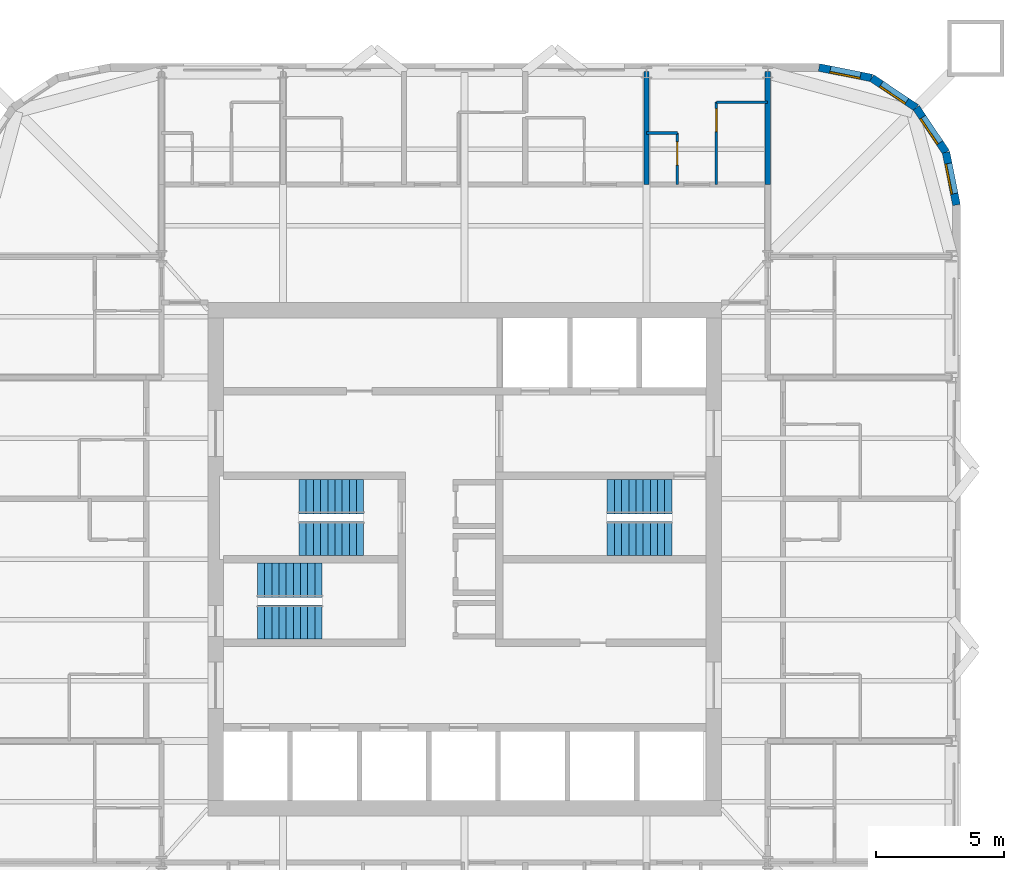
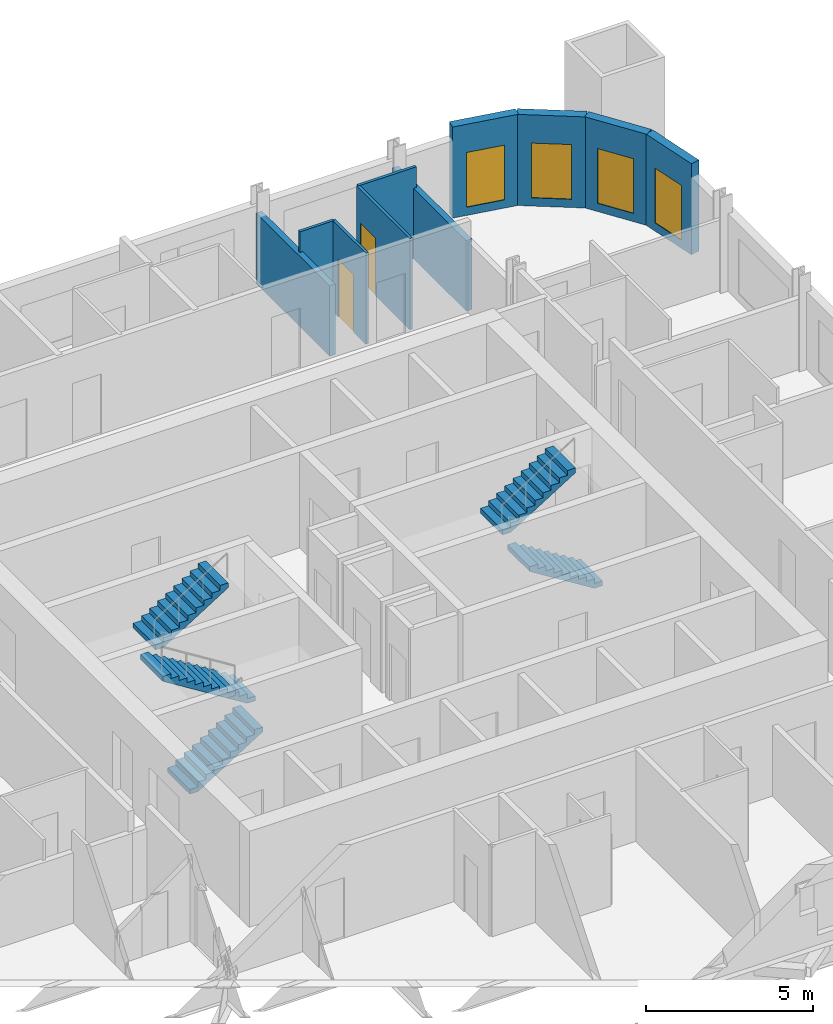
# One storey, part 8 of 9: 10 walls, 6 stair flights, 4 windows, 2 doors, 6 openings, 3 elements without a shape of their own.
"""IFC4 building model written with IfcOpenShell, lengths in metres."""

from ifc_helpers import new_model, si_unit, direction, frame, frame_2d, origin, place, context, subcontext, project, spatial, polyline, rectangle, outline, extrude, material, layer, layer_set, type_object, element, fill, aggregate, save


model = new_model("IFC4")

# Units and contexts
model_context = context("Model", 3, precision=1e-05, world=origin(), true_north=direction((0.0, 1.0)))
body_context = subcontext(model_context, "Body", "Model", "MODEL_VIEW")
ifc_project = project(units=[si_unit("LENGTHUNIT", "METRE"), si_unit("AREAUNIT", "SQUARE_METRE"), si_unit("VOLUMEUNIT", "CUBIC_METRE"), si_unit("PLANEANGLEUNIT", "RADIAN"), si_unit("MASSUNIT", "GRAM", prefix="KILO")], contexts=[model_context])

# Site, building, storey
site_placement = place(None, origin())
site = spatial("IfcSite", under=ifc_project, at=site_placement, CompositionType="ELEMENT")
building_placement = place(site_placement, origin())
building = spatial("IfcBuilding", under=site, at=building_placement, Name="Turquesa Mirador Hotel Tower", CompositionType="ELEMENT")
storey_placement = place(building_placement, frame((0.0, 0.0, 186.300048828125)))
storey = spatial("IfcBuildingStorey", under=building, at=storey_placement, Name="L50", CompositionType="ELEMENT", Elevation=186.300048828125)

# Walls
ifc_material_1 = material(Name="Gypsum board on steel studs", Category="steel")
ifc_layer_1 = layer(ifc_material_1, 0.10009765625)
ifc_layer_set_1 = layer_set([ifc_layer_1], Name="BATHROOM WALL 100")
wall_type_1 = type_object("IfcWallType", Name="BATHROOM WALL 100", PredefinedType="PARTITIONING", material=ifc_layer_set_1)
wall_1_placement = place(storey_placement, frame((62.080078125, 61.60009765625, 0.0), z_axis=(0.0, 0.0, 1.0), x_axis=(1.0, 0.0, 0.0)))
element("IfcWall", 1, at=wall_1_placement, inside=storey, type_object=wall_type_1, Name="Partition L50 025", PredefinedType="PARTITIONING", context=body_context, shape_type="SweptSolid", body=[
    extrude(rectangle(XDim=1.199951171875, YDim=0.10009765625, at=frame_2d((0.60009765625, 0.0))), origin(), (0.0, 0.0, 1.0), 3.329833984375),
])
wall_2_placement = place(storey_placement, frame((64.800048828125, 62.800048828125, 0.0), z_axis=(0.0, 0.0, 1.0), x_axis=(1.0, 0.0, 0.0)))
element("IfcWall", 2, at=wall_2_placement, inside=storey, type_object=wall_type_1, Name="Partition L50 030", PredefinedType="PARTITIONING", context=body_context, shape_type="SweptSolid", body=[
    extrude(rectangle(XDim=2.0, YDim=0.10009765625, at=frame_2d((1.0, 0.0))), origin(), (0.0, 0.0, 1.0), 3.329833984375),
])

# Wall, opening, door
wall_3_placement = place(storey_placement, frame((63.280029296875, 59.60009765625, 0.0), z_axis=(0.0, 0.0, 1.0), x_axis=(0.0, 1.0, 0.0)))
wall_3 = element("IfcWall", 3, at=wall_3_placement, inside=storey, type_object=wall_type_1, Name="Partition L50 082", PredefinedType="PARTITIONING", context=body_context, shape_type="SweptSolid", body=[
    extrude(rectangle(XDim=2.0, YDim=0.10009765625, at=frame_2d((1.0, 0.0))), origin(), (0.0, 0.0, 1.0), 3.329833984375),
])
opening_1_placement = place(wall_3_placement, frame((0.75, 0.0, 0.0)))
opening_1 = element("IfcOpeningElement", 4, at=opening_1_placement, cuts=wall_3, Name="Opening D06", PredefinedType="OPENING", context=body_context, shape_type="SweptSolid", body=[
    extrude(rectangle(XDim=0.89990234375, YDim=2.10009765625, at=frame_2d((0.449951171875, 1.050048828125))), frame((0.0, 0.06005859375, 0.0), z_axis=(0.0, -1.0, 0.0), x_axis=(1.0, 0.0, 0.0)), (0.0, 0.0, 1.0), 0.1201171875),
])
ifc_material_2 = material(Name="Laminate door", Category="wood")
door_type_1 = type_object("IfcDoorType", Name="DOOR 900X2100 WC", OperationType="SINGLE_SWING_LEFT", PredefinedType="DOOR", material=ifc_material_2)
door_1_placement = place(opening_1_placement, origin())
door_1 = element("IfcDoor", 5, at=door_1_placement, inside=storey, type_object=door_type_1, Name="Door 5005W", OperationType="SINGLE_SWING_LEFT", OverallHeight=2.10009765625, OverallWidth=0.89990234375, PredefinedType="DOOR", context=body_context, shape_type="SweptSolid", body=[
    extrude(rectangle(XDim=0.89990234375, YDim=2.10009765625, at=frame_2d((0.449951171875, 1.050048828125))), frame((0.0, 0.02490234375, 0.0), z_axis=(0.0, -1.0, 0.0), x_axis=(1.0, 0.0, 0.0)), (0.0, 0.0, 1.0), 0.050048828125),
])
fill(opening_1, door_1)

wall_4_placement = place(storey_placement, frame((64.800048828125, 59.60009765625, 0.0), z_axis=(0.0, 0.0, 1.0), x_axis=(0.0, 1.0, 0.0)))
wall_4 = element("IfcWall", 6, at=wall_4_placement, inside=storey, type_object=wall_type_1, Name="Partition L50 084", PredefinedType="PARTITIONING", context=body_context, shape_type="SweptSolid", body=[
    extrude(rectangle(XDim=3.199951171875, YDim=0.10009765625, at=frame_2d((1.60009765625, 0.0))), origin(), (0.0, 0.0, 1.0), 3.329833984375),
])
opening_2_placement = place(wall_4_placement, frame((2.050048828125, 0.0, 0.0)))
opening_2 = element("IfcOpeningElement", 7, at=opening_2_placement, cuts=wall_4, Name="Opening D02", PredefinedType="OPENING", context=body_context, shape_type="SweptSolid", body=[
    extrude(rectangle(XDim=0.89990234375, YDim=2.10009765625, at=frame_2d((0.449951171875, 1.050048828125))), frame((0.0, 0.06005859375, 0.0), z_axis=(0.0, -1.0, 0.0), x_axis=(1.0, 0.0, 0.0)), (0.0, 0.0, 1.0), 0.1201171875),
])
ifc_material_3 = material(Name="Timber veneered door", Category="wood")
door_type_2 = type_object("IfcDoorType", Name="DOOR 900X2100 EN-SUITE", OperationType="SINGLE_SWING_RIGHT", PredefinedType="DOOR", material=ifc_material_3)
door_2_placement = place(opening_2_placement, origin())
door_2 = element("IfcDoor", 8, at=door_2_placement, inside=storey, type_object=door_type_2, Name="Door 5005B", OperationType="SINGLE_SWING_RIGHT", OverallHeight=2.10009765625, OverallWidth=0.89990234375, PredefinedType="DOOR", context=body_context, shape_type="SweptSolid", body=[
    extrude(rectangle(XDim=0.89990234375, YDim=2.10009765625, at=frame_2d((0.449951171875, 1.050048828125))), frame((0.0, 0.02490234375, 0.0), z_axis=(0.0, -1.0, 0.0), x_axis=(1.0, 0.0, 0.0)), (0.0, 0.0, 1.0), 0.050048828125),
])
fill(opening_2, door_2)

# Wall, opening, window
ifc_material_4 = material(Name="Limestone cladding on concrete block", Category="masonry")
ifc_layer_2 = layer(ifc_material_4, 0.300048828125)
ifc_layer_set_2 = layer_set([ifc_layer_2], Name="FACADE WALL 300 STONE SCREEN")
wall_type_2 = type_object("IfcWallType", Name="FACADE WALL 300 STONE SCREEN", PredefinedType="SOLIDWALL", material=ifc_layer_set_2)
wall_5_placement = place(storey_placement, frame((74.14990234375, 58.800048828125, 0.0), z_axis=(0.0, 0.0, 1.0), x_axis=(-0.195081421501, 0.980787050784, 0.0)))
wall_5 = element("IfcWall", 9, at=wall_5_placement, inside=storey, type_object=wall_type_2, Name="Facade wall L50 05", PredefinedType="SOLIDWALL", context=body_context, shape_type="SweptSolid", body=[
    extrude(rectangle(XDim=2.08740234375, YDim=0.300048828125, at=frame_2d((1.043701171875, 0.0))), origin(), (0.0, 0.0, 1.0), 3.329833984375),
])
opening_3_placement = place(wall_5_placement, frame((0.443603515625, 0.0, 0.300048828125)))
opening_3 = element("IfcOpeningElement", 10, at=opening_3_placement, cuts=wall_5, Name="Opening WN4", PredefinedType="OPENING", context=body_context, shape_type="SweptSolid", body=[
    extrude(rectangle(XDim=1.199951171875, YDim=2.0, at=frame_2d((0.60009765625, 1.0))), frame((0.0, 0.159912109375, 0.0), z_axis=(0.0, -1.0, 0.0), x_axis=(1.0, 0.0, 0.0)), (0.0, 0.0, 1.0), 0.320068359375),
])
ifc_material_5 = material(Name="Ceramic-fritted laminated glass", Category="glass")
window_type = type_object("IfcWindowType", Name="FRITTED CORNER WINDOW 1200X2000", PartitioningType="DOUBLE_PANEL_HORIZONTAL", PredefinedType="WINDOW", material=ifc_material_5)
window_1_placement = place(opening_3_placement, origin())
window_1 = element("IfcWindow", 11, at=window_1_placement, inside=storey, type_object=window_type, Name="Window L50", OverallHeight=2.0, OverallWidth=1.199951171875, PartitioningType="SINGLE_PANEL", PredefinedType="WINDOW", context=body_context, shape_type="SweptSolid", body=[
    extrude(rectangle(XDim=1.199951171875, YDim=2.0, at=frame_2d((0.60009765625, 1.0))), frame((0.0, 0.130126953125, 0.0), z_axis=(0.0, -1.0, 0.0), x_axis=(1.0, 0.0, 0.0)), (0.0, 0.0, 1.0), 0.06005859375),
])
fill(opening_3, window_1)

wall_6_placement = place(storey_placement, frame((73.74267578125, 60.847412109375, 0.0), z_axis=(0.0, 0.0, 1.0), x_axis=(-0.555563607591, 0.831474039234, 0.0)))
wall_6 = element("IfcWall", 12, at=wall_6_placement, inside=storey, type_object=wall_type_2, Name="Facade wall L50 06", PredefinedType="SOLIDWALL", context=body_context, shape_type="SweptSolid", body=[
    extrude(rectangle(XDim=2.08740234375, YDim=0.300048828125, at=frame_2d((1.043701171875, 0.0))), origin(), (0.0, 0.0, 1.0), 3.329833984375),
])
opening_4_placement = place(wall_6_placement, frame((0.443603515625, 0.0, 0.300048828125)))
opening_4 = element("IfcOpeningElement", 13, at=opening_4_placement, cuts=wall_6, Name="Opening WN4", PredefinedType="OPENING", context=body_context, shape_type="SweptSolid", body=[
    extrude(rectangle(XDim=1.199951171875, YDim=2.0, at=frame_2d((0.60009765625, 1.0))), frame((0.0, 0.159912109375, 0.0), z_axis=(0.0, -1.0, 0.0), x_axis=(1.0, 0.0, 0.0)), (0.0, 0.0, 1.0), 0.320068359375),
])
window_2_placement = place(opening_4_placement, origin())
window_2 = element("IfcWindow", 14, at=window_2_placement, inside=storey, type_object=window_type, Name="Window L50", OverallHeight=2.0, OverallWidth=1.199951171875, PartitioningType="SINGLE_PANEL", PredefinedType="WINDOW", context=body_context, shape_type="SweptSolid", body=[
    extrude(rectangle(XDim=1.199951171875, YDim=2.0, at=frame_2d((0.60009765625, 1.0))), frame((0.0, 0.130126953125, 0.0), z_axis=(0.0, -1.0, 0.0), x_axis=(1.0, 0.0, 0.0)), (0.0, 0.0, 1.0), 0.06005859375),
])
fill(opening_4, window_2)

wall_7_placement = place(storey_placement, frame((72.5830078125, 62.5830078125, 0.0), z_axis=(0.0, 0.0, 1.0), x_axis=(-0.831474039234, 0.555563607591, 0.0)))
wall_7 = element("IfcWall", 15, at=wall_7_placement, inside=storey, type_object=wall_type_2, Name="Facade wall L50 07", PredefinedType="SOLIDWALL", context=body_context, shape_type="SweptSolid", body=[
    extrude(rectangle(XDim=2.08740234375, YDim=0.300048828125, at=frame_2d((1.043701171875, 0.0))), origin(), (0.0, 0.0, 1.0), 3.329833984375),
])
opening_5_placement = place(wall_7_placement, frame((0.443603515625, 0.0, 0.300048828125)))
opening_5 = element("IfcOpeningElement", 16, at=opening_5_placement, cuts=wall_7, Name="Opening WN4", PredefinedType="OPENING", context=body_context, shape_type="SweptSolid", body=[
    extrude(rectangle(XDim=1.199951171875, YDim=2.0, at=frame_2d((0.60009765625, 1.0))), frame((0.0, 0.159912109375, 0.0), z_axis=(0.0, -1.0, 0.0), x_axis=(1.0, 0.0, 0.0)), (0.0, 0.0, 1.0), 0.320068359375),
])
window_3_placement = place(opening_5_placement, origin())
window_3 = element("IfcWindow", 17, at=window_3_placement, inside=storey, type_object=window_type, Name="Window L50", OverallHeight=2.0, OverallWidth=1.199951171875, PartitioningType="SINGLE_PANEL", PredefinedType="WINDOW", context=body_context, shape_type="SweptSolid", body=[
    extrude(rectangle(XDim=1.199951171875, YDim=2.0, at=frame_2d((0.60009765625, 1.0))), frame((0.0, 0.130126953125, 0.0), z_axis=(0.0, -1.0, 0.0), x_axis=(1.0, 0.0, 0.0)), (0.0, 0.0, 1.0), 0.06005859375),
])
fill(opening_5, window_3)

wall_8_placement = place(storey_placement, frame((70.847412109375, 63.74267578125, 0.0), z_axis=(0.0, 0.0, 1.0), x_axis=(-0.980787050784, 0.195081421501, 0.0)))
wall_8 = element("IfcWall", 18, at=wall_8_placement, inside=storey, type_object=wall_type_2, Name="Facade wall L50 08", PredefinedType="SOLIDWALL", context=body_context, shape_type="SweptSolid", body=[
    extrude(rectangle(XDim=2.08740234375, YDim=0.300048828125, at=frame_2d((1.043701171875, 0.0))), origin(), (0.0, 0.0, 1.0), 3.329833984375),
])
opening_6_placement = place(wall_8_placement, frame((0.443603515625, 0.0, 0.300048828125)))
opening_6 = element("IfcOpeningElement", 19, at=opening_6_placement, cuts=wall_8, Name="Opening WN4", PredefinedType="OPENING", context=body_context, shape_type="SweptSolid", body=[
    extrude(rectangle(XDim=1.199951171875, YDim=2.0, at=frame_2d((0.60009765625, 1.0))), frame((0.0, 0.159912109375, 0.0), z_axis=(0.0, -1.0, 0.0), x_axis=(1.0, 0.0, 0.0)), (0.0, 0.0, 1.0), 0.320068359375),
])
window_4_placement = place(opening_6_placement, origin())
window_4 = element("IfcWindow", 20, at=window_4_placement, inside=storey, type_object=window_type, Name="Window L50", OverallHeight=2.0, OverallWidth=1.199951171875, PartitioningType="SINGLE_PANEL", PredefinedType="WINDOW", context=body_context, shape_type="SweptSolid", body=[
    extrude(rectangle(XDim=1.199951171875, YDim=2.0, at=frame_2d((0.60009765625, 1.0))), frame((0.0, 0.130126953125, 0.0), z_axis=(0.0, -1.0, 0.0), x_axis=(1.0, 0.0, 0.0)), (0.0, 0.0, 1.0), 0.06005859375),
])
fill(opening_6, window_4)

# Walls
ifc_material_6 = material(Name="Fire-rated gypsum board on steel studs", Category="steel")
ifc_layer_3 = layer(ifc_material_6, 0.199951171875)
ifc_layer_set_3 = layer_set([ifc_layer_3], Name="PARTY WALL 200")
wall_type_3 = type_object("IfcWallType", Name="PARTY WALL 200", PredefinedType="PARTITIONING", material=ifc_layer_set_3)
for number, where, z_axis, x_axis, name in (
    (21, (66.800048828125, 59.60009765625, 0.0), (0.0, 0.0, 1.0), (0.0, 1.0, 0.0), "Partition L50 066"),
    (22, (62.080078125, 59.60009765625, 0.0), (0.0, 0.0, 1.0), (0.0, 1.0, 0.0), "Partition L50 081"),
):
    element("IfcWall", number, at=place(storey_placement, frame(where, z_axis=z_axis, x_axis=x_axis)), inside=storey, type_object=wall_type_3, Name=name, PredefinedType="PARTITIONING", context=body_context, shape_type="SweptSolid", body=[
        extrude(rectangle(XDim=4.39990234375, YDim=0.199951171875, at=frame_2d((2.199951171875, 0.0))), origin(), (0.0, 0.0, 1.0), 2.572998046875),
    ])

# Stair, stair flights
ifc_material_7 = material(Name="Concrete C35/45", Category="concrete")
stair_type = type_object("IfcStairType", Name="ESCAPE STAIR CORE", PredefinedType="HALF_TURN_STAIR", material=ifc_material_7)
stair_1_placement = place(storey_placement, origin())
stair_1 = element("IfcStair", 23, at=stair_1_placement, inside=storey, type_object=stair_type, Name="Stair ST1 L50 to L51", PredefinedType="HALF_TURN_STAIR")
ifc_material_8 = material(Name="Concrete C35/45 precast flight", Category="concrete")
stair_flight_type = type_object("IfcStairFlightType", Name="STAIR FLIGHT 1330", PredefinedType="STRAIGHT", material=ifc_material_8)
stair_flight_1_placement = place(storey_placement, frame((51.070068359375, 45.81494140625, 0.0), z_axis=(0.0, 0.0, 1.0), x_axis=(-1.0, 0.0, 0.0)))
stair_flight_1 = element("IfcStairFlight", 24, at=stair_flight_1_placement, type_object=stair_flight_type, Name="ST1 flight 1", NumberOfRisers=10, NumberOfTreads=9, PredefinedType="STRAIGHT", RiserHeight=0.175, TreadLength=0.28, context=body_context, shape_type="SweptSolid", body=[
    extrude(outline(polyline([(0.0, 0.0), (0.0, 0.175048828125), (0.280029296875, 0.175048828125), (0.280029296875, 0.35009765625), (0.56005859375, 0.35009765625), (0.56005859375, 0.52490234375), (0.840087890625, 0.52490234375), (0.840087890625, 0.699951171875), (1.1201171875, 0.699951171875), (1.1201171875, 0.875), (1.39990234375, 0.875), (1.39990234375, 1.050048828125), (1.679931640625, 1.050048828125), (1.679931640625, 1.22509765625), (1.9599609375, 1.22509765625), (1.9599609375, 1.39990234375), (2.239990234375, 1.39990234375), (2.239990234375, 1.574951171875), (2.52001953125, 1.574951171875), (2.52001953125, 1.75), (2.52001953125, 1.398193359375), (0.28271484375, 0.0), (0.0, 0.0)])), frame((0.0, 0.6650390625, 0.0), z_axis=(0.0, -1.0, 0.0), x_axis=(1.0, 0.0, 0.0)), (0.0, 0.0, 1.0), 1.330078125),
])
stair_flight_2_placement = place(storey_placement, frame((48.550048828125, 47.43505859375, 1.75), z_axis=(0.0, 0.0, 1.0), x_axis=(1.0, 0.0, 0.0)))
stair_flight_2 = element("IfcStairFlight", 25, at=stair_flight_2_placement, type_object=stair_flight_type, Name="ST1 flight 2", NumberOfRisers=10, NumberOfTreads=9, PredefinedType="STRAIGHT", RiserHeight=0.175, TreadLength=0.28, context=body_context, shape_type="SweptSolid", body=[
    extrude(outline(polyline([(0.0, 0.0), (0.0, 0.175048828125), (0.280029296875, 0.175048828125), (0.280029296875, 0.35009765625), (0.56005859375, 0.35009765625), (0.56005859375, 0.52490234375), (0.840087890625, 0.52490234375), (0.840087890625, 0.699951171875), (1.1201171875, 0.699951171875), (1.1201171875, 0.875), (1.39990234375, 0.875), (1.39990234375, 1.050048828125), (1.679931640625, 1.050048828125), (1.679931640625, 1.22509765625), (1.9599609375, 1.22509765625), (1.9599609375, 1.39990234375), (2.239990234375, 1.39990234375), (2.239990234375, 1.574951171875), (2.52001953125, 1.574951171875), (2.52001953125, 1.75), (2.52001953125, 1.398193359375), (0.28271484375, 0.0), (0.0, 0.0)])), frame((0.0, 0.6650390625, 0.0), z_axis=(0.0, -1.0, 0.0), x_axis=(1.0, 0.0, 0.0)), (0.0, 0.0, 1.0), 1.330078125),
])
aggregate(stair_1, [stair_flight_1, stair_flight_2])

stair_2_placement = place(storey_placement, origin())
stair_2 = element("IfcStair", 26, at=stair_2_placement, inside=storey, type_object=stair_type, Name="Stair ST2 L50 to L51", PredefinedType="HALF_TURN_STAIR")
stair_flight_3_placement = place(storey_placement, frame((46.929931640625, 42.56494140625, 0.0), z_axis=(0.0, 0.0, 1.0), x_axis=(1.0, 0.0, 0.0)))
stair_flight_3 = element("IfcStairFlight", 27, at=stair_flight_3_placement, type_object=stair_flight_type, Name="ST2 flight 1", NumberOfRisers=10, NumberOfTreads=9, PredefinedType="STRAIGHT", RiserHeight=0.175, TreadLength=0.28, context=body_context, shape_type="SweptSolid", body=[
    extrude(outline(polyline([(0.0, 0.0), (0.0, 0.175048828125), (0.280029296875, 0.175048828125), (0.280029296875, 0.35009765625), (0.56005859375, 0.35009765625), (0.56005859375, 0.52490234375), (0.840087890625, 0.52490234375), (0.840087890625, 0.699951171875), (1.1201171875, 0.699951171875), (1.1201171875, 0.875), (1.39990234375, 0.875), (1.39990234375, 1.050048828125), (1.679931640625, 1.050048828125), (1.679931640625, 1.22509765625), (1.9599609375, 1.22509765625), (1.9599609375, 1.39990234375), (2.239990234375, 1.39990234375), (2.239990234375, 1.574951171875), (2.52001953125, 1.574951171875), (2.52001953125, 1.75), (2.52001953125, 1.398193359375), (0.28271484375, 0.0), (0.0, 0.0)])), frame((0.0, 0.6650390625, 0.0), z_axis=(0.0, -1.0, 0.0), x_axis=(1.0, 0.0, 0.0)), (0.0, 0.0, 1.0), 1.330078125),
])
stair_flight_4_placement = place(storey_placement, frame((49.449951171875, 44.18505859375, 1.75), z_axis=(0.0, 0.0, 1.0), x_axis=(-1.0, 0.0, 0.0)))
stair_flight_4 = element("IfcStairFlight", 28, at=stair_flight_4_placement, type_object=stair_flight_type, Name="ST2 flight 2", NumberOfRisers=10, NumberOfTreads=9, PredefinedType="STRAIGHT", RiserHeight=0.175, TreadLength=0.28, context=body_context, shape_type="SweptSolid", body=[
    extrude(outline(polyline([(0.0, 0.0), (0.0, 0.175048828125), (0.280029296875, 0.175048828125), (0.280029296875, 0.35009765625), (0.56005859375, 0.35009765625), (0.56005859375, 0.52490234375), (0.840087890625, 0.52490234375), (0.840087890625, 0.699951171875), (1.1201171875, 0.699951171875), (1.1201171875, 0.875), (1.39990234375, 0.875), (1.39990234375, 1.050048828125), (1.679931640625, 1.050048828125), (1.679931640625, 1.22509765625), (1.9599609375, 1.22509765625), (1.9599609375, 1.39990234375), (2.239990234375, 1.39990234375), (2.239990234375, 1.574951171875), (2.52001953125, 1.574951171875), (2.52001953125, 1.75), (2.52001953125, 1.398193359375), (0.28271484375, 0.0), (0.0, 0.0)])), frame((0.0, 0.6650390625, 0.0), z_axis=(0.0, -1.0, 0.0), x_axis=(1.0, 0.0, 0.0)), (0.0, 0.0, 1.0), 1.330078125),
])
aggregate(stair_2, [stair_flight_3, stair_flight_4])

stair_3_placement = place(storey_placement, origin())
stair_3 = element("IfcStair", 29, at=stair_3_placement, inside=storey, type_object=stair_type, Name="Stair ST3 L50 to L51", PredefinedType="HALF_TURN_STAIR")
stair_flight_5_placement = place(storey_placement, frame((63.070068359375, 45.81494140625, 0.0), z_axis=(0.0, 0.0, 1.0), x_axis=(-1.0, 0.0, 0.0)))
stair_flight_5 = element("IfcStairFlight", 30, at=stair_flight_5_placement, type_object=stair_flight_type, Name="ST3 flight 1", NumberOfRisers=10, NumberOfTreads=9, PredefinedType="STRAIGHT", RiserHeight=0.175, TreadLength=0.28, context=body_context, shape_type="SweptSolid", body=[
    extrude(outline(polyline([(0.0, 0.0), (0.0, 0.175048828125), (0.280029296875, 0.175048828125), (0.280029296875, 0.35009765625), (0.56005859375, 0.35009765625), (0.56005859375, 0.52490234375), (0.840087890625, 0.52490234375), (0.840087890625, 0.699951171875), (1.1201171875, 0.699951171875), (1.1201171875, 0.875), (1.39990234375, 0.875), (1.39990234375, 1.050048828125), (1.679931640625, 1.050048828125), (1.679931640625, 1.22509765625), (1.9599609375, 1.22509765625), (1.9599609375, 1.39990234375), (2.239990234375, 1.39990234375), (2.239990234375, 1.574951171875), (2.52001953125, 1.574951171875), (2.52001953125, 1.75), (2.52001953125, 1.398193359375), (0.28271484375, 0.0), (0.0, 0.0)])), frame((0.0, 0.6650390625, 0.0), z_axis=(0.0, -1.0, 0.0), x_axis=(1.0, 0.0, 0.0)), (0.0, 0.0, 1.0), 1.330078125),
])
stair_flight_6_placement = place(storey_placement, frame((60.550048828125, 47.43505859375, 1.75), z_axis=(0.0, 0.0, 1.0), x_axis=(1.0, 0.0, 0.0)))
stair_flight_6 = element("IfcStairFlight", 31, at=stair_flight_6_placement, type_object=stair_flight_type, Name="ST3 flight 2", NumberOfRisers=10, NumberOfTreads=9, PredefinedType="STRAIGHT", RiserHeight=0.175, TreadLength=0.28, context=body_context, shape_type="SweptSolid", body=[
    extrude(outline(polyline([(0.0, 0.0), (0.0, 0.175048828125), (0.280029296875, 0.175048828125), (0.280029296875, 0.35009765625), (0.56005859375, 0.35009765625), (0.56005859375, 0.52490234375), (0.840087890625, 0.52490234375), (0.840087890625, 0.699951171875), (1.1201171875, 0.699951171875), (1.1201171875, 0.875), (1.39990234375, 0.875), (1.39990234375, 1.050048828125), (1.679931640625, 1.050048828125), (1.679931640625, 1.22509765625), (1.9599609375, 1.22509765625), (1.9599609375, 1.39990234375), (2.239990234375, 1.39990234375), (2.239990234375, 1.574951171875), (2.52001953125, 1.574951171875), (2.52001953125, 1.75), (2.52001953125, 1.398193359375), (0.28271484375, 0.0), (0.0, 0.0)])), frame((0.0, 0.6650390625, 0.0), z_axis=(0.0, -1.0, 0.0), x_axis=(1.0, 0.0, 0.0)), (0.0, 0.0, 1.0), 1.330078125),
])
aggregate(stair_3, [stair_flight_5, stair_flight_6])

save(model, "model.ifc")
